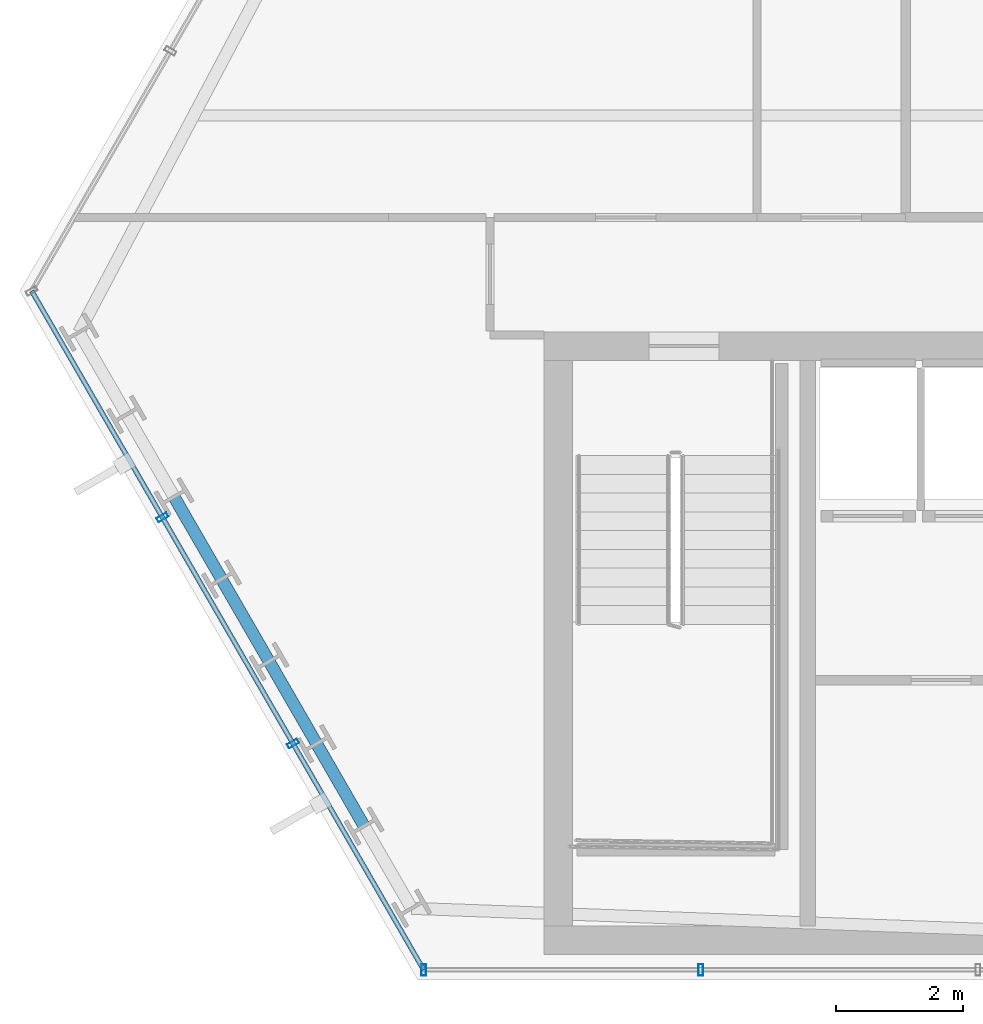
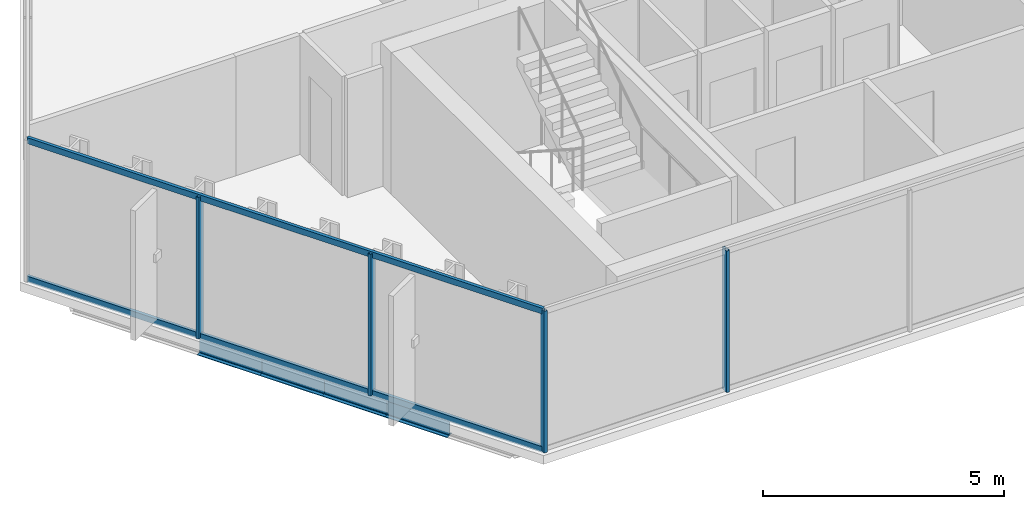
# One storey, part 2 of 32: 6 members, 4 beams, 2 elements without a shape of their own.
"""IFC4 building model written with IfcOpenShell, lengths in metres."""

from ifc_helpers import new_model, si_unit, direction, frame, origin, origin_2d, place, context, subcontext, project, spatial, hollow_rectangle, i_section, extrude, material, layer, layer_set, material_profile, profile_set, type_object, element, aggregate, save


model = new_model("IFC4")

# Units and contexts
model_context = context("Model", 3, precision=1e-05, world=origin(), true_north=direction((0.0, 1.0)))
body_context = subcontext(model_context, "Body", "Model", "MODEL_VIEW")
ifc_project = project(units=[si_unit("LENGTHUNIT", "METRE"), si_unit("AREAUNIT", "SQUARE_METRE"), si_unit("VOLUMEUNIT", "CUBIC_METRE"), si_unit("PLANEANGLEUNIT", "RADIAN"), si_unit("MASSUNIT", "GRAM", prefix="KILO")], contexts=[model_context])

# Site, building, storey
site_placement = place(None, origin())
site = spatial("IfcSite", under=ifc_project, at=site_placement, CompositionType="ELEMENT")
building_placement = place(site_placement, origin())
building = spatial("IfcBuilding", under=site, at=building_placement, Name="Ndaravel Arena Tower", CompositionType="ELEMENT")
storey_placement = place(building_placement, frame((0.0, 0.0, 130.800048828125)))
storey = spatial("IfcBuildingStorey", under=building, at=storey_placement, Name="L30", CompositionType="ELEMENT", Elevation=130.800048828125)

# Beams
ifc_material_1 = material(Name="Steel S355", Category="steel")
ifc_material_profile_1 = material_profile(ifc_material_1, i_section(OverallWidth=0.18994140625, OverallDepth=0.449951171875, WebThickness=0.009521484375, FlangeThickness=0.0146484375, FilletRadius=0.02099609375, at=origin_2d()), Name="IPE 450")
ifc_profile_set_1 = profile_set([ifc_material_profile_1], Name="Steel S355")
beam_type = type_object("IfcBeamType", Name="BM-SPAN-IPE450", PredefinedType="SPANDREL", material=ifc_profile_set_1)
for number, where, z_axis, x_axis, name in (
    (1, (20.62744140625, 12.603271484375, -0.445068359375), (0.500019200167, -0.866014318279, 0.0), (0.866014318279, 0.500019200167, 0.0), "L30 Perimeter Spandrel Beam SP-22"),
    (2, (21.375244140625, 11.30810546875, -0.445068359375), (0.500019200167, -0.866014318279, 0.0), (0.866014318279, 0.500019200167, 0.0), "L30 Perimeter Spandrel Beam SP-23"),
    (3, (22.123046875, 10.012939453125, -0.445068359375), (0.500019200167, -0.866014318279, 0.0), (0.866014318279, 0.500019200167, 0.0), "L30 Perimeter Spandrel Beam SP-24"),
):
    element("IfcBeam", number, at=place(storey_placement, frame(where, z_axis=z_axis, x_axis=x_axis)), inside=storey, type_object=beam_type, Name=name, PredefinedType="SPANDREL", context=body_context, shape_type="SweptSolid", body=[
        extrude(i_section(OverallWidth=0.18994140625, OverallDepth=0.449951171875, WebThickness=0.009521484375, FlangeThickness=0.0146484375, FilletRadius=0.02099609375, at=origin_2d()), origin(), (0.0, 0.0, 1.0), 1.49560546875),
    ])
beam_placement = place(storey_placement, frame((22.870849609375, 8.7177734375, -0.445068359375), z_axis=(0.499896754619, -0.866085004328, 0.0), x_axis=(0.866085004328, 0.499896754619, 0.0)))
element("IfcBeam", 4, at=beam_placement, inside=storey, type_object=beam_type, Name="L30 Perimeter Spandrel Beam SP-25", PredefinedType="SPANDREL", context=body_context, shape_type="SweptSolid", body=[
    extrude(i_section(OverallWidth=0.18994140625, OverallDepth=0.449951171875, WebThickness=0.009521484375, FlangeThickness=0.0146484375, FilletRadius=0.02099609375, at=origin_2d()), origin(), (0.0, 0.0, 1.0), 1.495361328125),
])

# Curtain wall, members
ifc_material_2 = material(Name="Aluminium", Category="aluminium")
ifc_layer_1 = layer(ifc_material_2, 0.179931640625)
ifc_layer_set_1 = layer_set([ifc_layer_1], Name="Aluminium")
curtain_wall_type_1 = type_object("IfcCurtainWallType", Name="CW-SYS-03", PredefinedType="NOTDEFINED", material=ifc_layer_set_1)
curtain_wall_1_placement = place(storey_placement, origin())
curtain_wall_1 = element("IfcCurtainWall", 5, at=curtain_wall_1_placement, inside=storey, type_object=curtain_wall_type_1, Name="L30 Faceted Crystal Curtain Wall CW-L30-E01", PredefinedType="NOTDEFINED")
ifc_material_3 = material(Name="Aluminium", Category="aluminium")
ifc_material_profile_2 = material_profile(ifc_material_3, hollow_rectangle(XDim=0.074951171875, YDim=0.179931640625, WallThickness=0.00390625, at=origin_2d()), Name="CW MULLION 75x180x4")
ifc_profile_set_2 = profile_set([ifc_material_profile_2], Name="Aluminium")
member_type_1 = type_object("IfcMemberType", Name="MEM-CW-MUL180", PredefinedType="MULLION", material=ifc_profile_set_2)
member_1_placement = place(storey_placement, frame((24.555419921875, 5.159912109375, 0.0), z_axis=(0.0, 0.0, 1.0), x_axis=(1.0, 0.0, 0.0)))
member_1 = element("IfcMember", 6, at=member_1_placement, type_object=member_type_1, Name="CW-L30-E01 Mullion 00", PredefinedType="MULLION", context=body_context, shape_type="SweptSolid", body=[
    extrude(hollow_rectangle(XDim=0.074951171875, YDim=0.179931640625, WallThickness=0.00390625, at=origin_2d()), origin(), (0.0, 0.0, 1.0), 3.579833984375),
])
member_2_placement = place(storey_placement, frame((28.91650390625, 5.159912109375, 0.0), z_axis=(0.0, 0.0, 1.0), x_axis=(1.0, 0.0, 0.0)))
member_2 = element("IfcMember", 7, at=member_2_placement, type_object=member_type_1, Name="CW-L30-E01 Mullion 01", PredefinedType="MULLION", context=body_context, shape_type="SweptSolid", body=[
    extrude(hollow_rectangle(XDim=0.074951171875, YDim=0.179931640625, WallThickness=0.00390625, at=origin_2d()), origin(), (0.0, 0.0, 1.0), 3.579833984375),
])
aggregate(curtain_wall_1, [member_1, member_2])

ifc_material_4 = material(Name="Aluminium", Category="aluminium")
ifc_layer_2 = layer(ifc_material_4, 0.179931640625)
ifc_layer_set_2 = layer_set([ifc_layer_2], Name="Aluminium")
curtain_wall_type_2 = type_object("IfcCurtainWallType", Name="CW-SYS-02", PredefinedType="NOTDEFINED", material=ifc_layer_set_2)
curtain_wall_2_placement = place(storey_placement, origin())
curtain_wall_2 = element("IfcCurtainWall", 8, at=curtain_wall_2_placement, inside=storey, type_object=curtain_wall_type_2, Name="L30 Faceted Crystal Curtain Wall CW-L30-E06", PredefinedType="NOTDEFINED")
member_3_placement = place(storey_placement, frame((20.4443359375, 12.28076171875, 0.0), z_axis=(0.0, 0.0, 1.0), x_axis=(0.5, -0.866025403784, 0.0)))
member_3 = element("IfcMember", 9, at=member_3_placement, type_object=member_type_1, Name="CW-L30-E06 Mullion 01", PredefinedType="MULLION", context=body_context, shape_type="SweptSolid", body=[
    extrude(hollow_rectangle(XDim=0.074951171875, YDim=0.179931640625, WallThickness=0.00390625, at=origin_2d()), origin(), (0.0, 0.0, 1.0), 3.579833984375),
])
member_4_placement = place(storey_placement, frame((22.499755859375, 8.720458984375, 0.0), z_axis=(0.0, 0.0, 1.0), x_axis=(0.5, -0.866025403784, 0.0)))
member_4 = element("IfcMember", 10, at=member_4_placement, type_object=member_type_1, Name="CW-L30-E06 Mullion 02", PredefinedType="MULLION", context=body_context, shape_type="SweptSolid", body=[
    extrude(hollow_rectangle(XDim=0.074951171875, YDim=0.179931640625, WallThickness=0.00390625, at=origin_2d()), origin(), (0.0, 0.0, 1.0), 3.579833984375),
])
ifc_material_5 = material(Name="Aluminium", Category="aluminium")
ifc_material_profile_3 = material_profile(ifc_material_5, hollow_rectangle(XDim=0.074951171875, YDim=0.14990234375, WallThickness=0.00390625, at=origin_2d()), Name="CW TRANSOM 75x150x4")
ifc_profile_set_3 = profile_set([ifc_material_profile_3], Name="Aluminium")
member_type_2 = type_object("IfcMemberType", Name="MEM-CW-TRN150", PredefinedType="USERDEFINED", material=ifc_profile_set_3)
member_5_placement = place(storey_placement, frame((18.388671875, 15.841064453125, 0.0400390625), z_axis=(0.499998897271, -0.866026040445, 0.0), x_axis=(0.866026040445, 0.499998897271, 0.0)))
member_5 = element("IfcMember", 11, at=member_5_placement, type_object=member_type_2, Name="CW-L30-E06 Transom 01", ObjectType="TRANSOM", PredefinedType="USERDEFINED", context=body_context, shape_type="SweptSolid", body=[
    extrude(hollow_rectangle(XDim=0.074951171875, YDim=0.14990234375, WallThickness=0.00390625, at=origin_2d()), origin(), (0.0, 0.0, 1.0), 12.33349609375),
])
member_6_placement = place(storey_placement, frame((18.388671875, 15.841064453125, 3.5400390625), z_axis=(0.499998897271, -0.866026040445, 0.0), x_axis=(0.866026040445, 0.499998897271, 0.0)))
member_6 = element("IfcMember", 12, at=member_6_placement, type_object=member_type_2, Name="CW-L30-E06 Transom 02", ObjectType="TRANSOM", PredefinedType="USERDEFINED", context=body_context, shape_type="SweptSolid", body=[
    extrude(hollow_rectangle(XDim=0.074951171875, YDim=0.14990234375, WallThickness=0.00390625, at=origin_2d()), origin(), (0.0, 0.0, 1.0), 12.33349609375),
])
aggregate(curtain_wall_2, [member_3, member_4, member_5, member_6])

save(model, "model.ifc")
